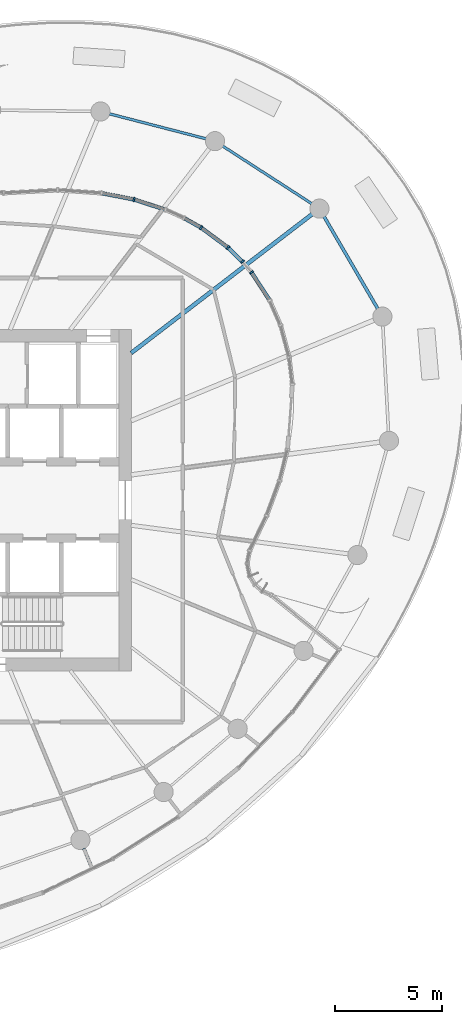
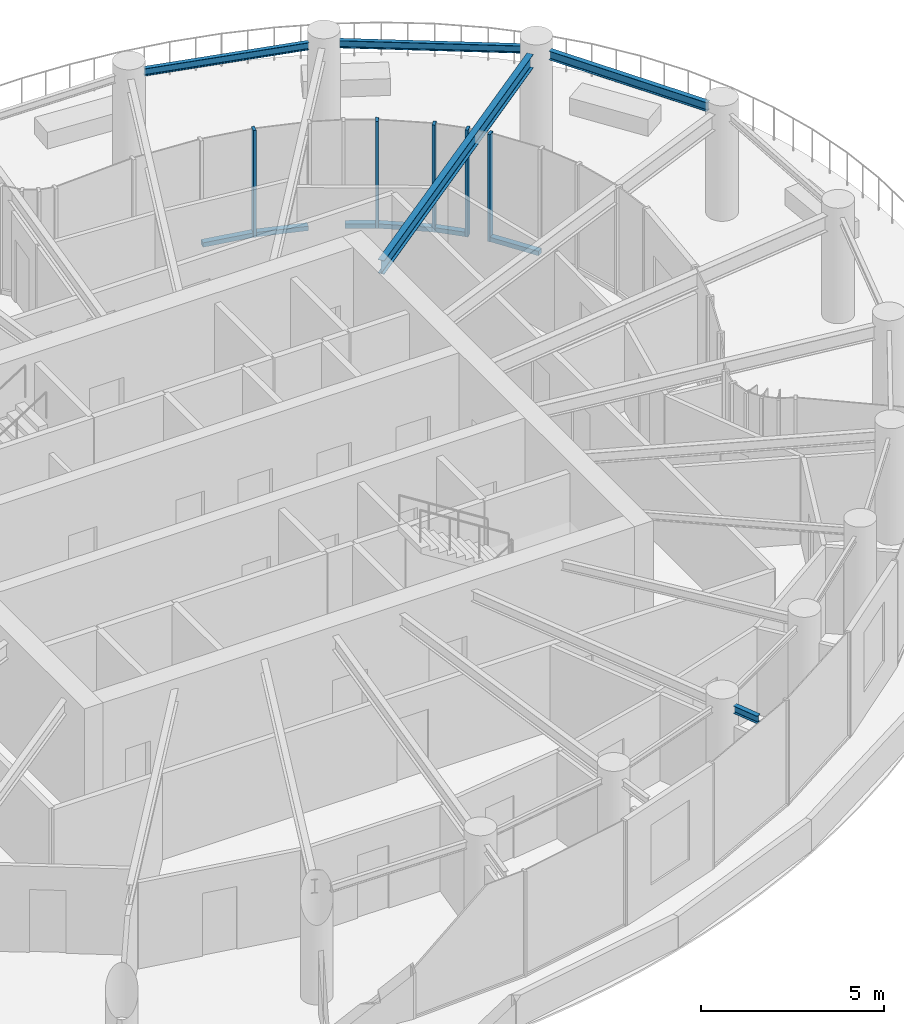
# One storey, part 6 of 19: 11 members, 5 beams, 2 elements without a shape of their own.
"""IFC4 building model written with IfcOpenShell, lengths in metres."""

from ifc_helpers import new_model, si_unit, direction, frame, origin, origin_2d, place, context, subcontext, project, spatial, rectangle, i_section, extrude, source, transform, mapped, material, layer, layer_set, material_profile, profile_set, type_object, element, aggregate, save


model = new_model("IFC4")

# Units and contexts
model_context = context("Model", 3, precision=1e-05, world=origin(), true_north=direction((0.0, 1.0)))
body_context = subcontext(model_context, "Body", "Model", "MODEL_VIEW")
ifc_project = project(units=[si_unit("LENGTHUNIT", "METRE"), si_unit("AREAUNIT", "SQUARE_METRE"), si_unit("VOLUMEUNIT", "CUBIC_METRE"), si_unit("PLANEANGLEUNIT", "RADIAN"), si_unit("MASSUNIT", "GRAM", prefix="KILO")], contexts=[model_context])

# Site, building, storey
site_placement = place(None, origin())
site = spatial("IfcSite", under=ifc_project, at=site_placement, CompositionType="ELEMENT")
building_placement = place(site_placement, origin())
building = spatial("IfcBuilding", under=site, at=building_placement, Name="Spindrift Exchange Tower", CompositionType="ELEMENT")
storey_placement = place(building_placement, frame((0.0, 0.0, 183.800048828125)))
storey = spatial("IfcBuildingStorey", under=building, at=storey_placement, Name="L44", CompositionType="ELEMENT", Elevation=183.800048828125)

# Beams
ifc_material_1 = material(Name="Steel Grade 300", Category="steel")
ifc_material_profile_1 = material_profile(ifc_material_1, i_section(OverallWidth=0.18994140625, OverallDepth=0.4541015625, WebThickness=0.008544921875, FlangeThickness=0.0126953125, FilletRadius=0.013916015625, at=origin_2d()), Name="460UB67.1")
ifc_profile_set_1 = profile_set([ifc_material_profile_1], Name="Steel Grade 300")
beam_type_1 = type_object("IfcBeamType", Name="Floor Beam 460UB67.1 Steel Grade 300", PredefinedType="BEAM", material=ifc_profile_set_1)
shared_shape_1 = source(origin(), body_context, "Body", "SweptSolid", [
    extrude(i_section(OverallWidth=0.18994140625, OverallDepth=0.4541015625, WebThickness=0.008544921875, FlangeThickness=0.0126953125, FilletRadius=0.013916015625, at=origin_2d()), origin(), (0.0, 0.0, 1.0), 10.684814453125),
])
beam_1_placement = place(storey_placement, frame((60.984130859375, 54.893798828125, 3.35302734375), z_axis=(0.793357316898, 0.608756246559, 0.0), x_axis=(-0.608756246559, 0.793357316898, 0.0)))
element("IfcBeam", 1, at=beam_1_placement, inside=storey, type_object=beam_type_1, Name="L44 radial beam R03A", PredefinedType="BEAM", context=body_context, shape_type="MappedRepresentation", body=[
    mapped(shared_shape_1, transform((0.0, 0.0, 0.0), scale=1.0)),
])
ifc_material_profile_2 = material_profile(ifc_material_1, i_section(OverallWidth=0.14599609375, OverallDepth=0.251953125, WebThickness=0.006103515625, FlangeThickness=0.008544921875, FilletRadius=0.011962890625, at=origin_2d()), Name="250UB31.4")
ifc_profile_set_2 = profile_set([ifc_material_profile_2], Name="Steel Grade 300")
beam_type_2 = type_object("IfcBeamType", Name="Cantilever Beam 250UB31.4 Steel Grade 300", PredefinedType="BEAM", material=ifc_profile_set_2)
shared_shape_2 = source(origin(), body_context, "Body", "SweptSolid", [
    extrude(i_section(OverallWidth=0.14599609375, OverallDepth=0.251953125, WebThickness=0.006103515625, FlangeThickness=0.008544921875, FilletRadius=0.011962890625, at=origin_2d()), origin(), (0.0, 0.0, 1.0), 0.825927734375),
])
beam_2_placement = place(storey_placement, frame((58.763671875, 31.67138671875, 3.453857421875), z_axis=(0.38247362018, -0.923966411655, 0.0), x_axis=(0.923966411655, 0.38247362018, 0.0)))
element("IfcBeam", 2, at=beam_2_placement, inside=storey, type_object=beam_type_2, Name="L44 cantilever beam R20T", PredefinedType="BEAM", context=body_context, shape_type="MappedRepresentation", body=[
    mapped(shared_shape_2, transform((0.0, 0.0, 0.0), scale=1.0)),
])
ifc_material_profile_3 = material_profile(ifc_material_1, i_section(OverallWidth=0.14892578125, OverallDepth=0.298095703125, WebThickness=0.005615234375, FlangeThickness=0.008056640625, FilletRadius=0.012939453125, at=origin_2d()), Name="310UB32.0")
ifc_profile_set_3 = profile_set([ifc_material_profile_3], Name="Steel Grade 300")
beam_type_3 = type_object("IfcBeamType", Name="Edge Beam 310UB32.0 Steel Grade 300", PredefinedType="SPANDREL", material=ifc_profile_set_3)
shared_shape_3 = source(origin(), body_context, "Body", "SweptSolid", [
    extrude(i_section(OverallWidth=0.14892578125, OverallDepth=0.298095703125, WebThickness=0.005615234375, FlangeThickness=0.008056640625, FilletRadius=0.012939453125, at=origin_2d()), origin(), (0.0, 0.0, 1.0), 5.0009765625),
])
beam_3_placement = place(storey_placement, frame((72.53662109375, 56.9677734375, 3.430908203125), z_axis=(-0.503512812094, 0.863987759205, 0.0), x_axis=(-0.863987759205, -0.503512812094, 0.0)))
element("IfcBeam", 3, at=beam_3_placement, inside=storey, type_object=beam_type_3, Name="L44 edge beam E02", PredefinedType="SPANDREL", context=body_context, shape_type="MappedRepresentation", body=[
    mapped(shared_shape_3, transform((0.0, 0.0, 0.0), scale=1.0)),
])
ifc_material_profile_4 = material_profile(ifc_material_1, i_section(OverallWidth=0.1240234375, OverallDepth=0.248046875, WebThickness=0.0048828125, FlangeThickness=0.008056640625, FilletRadius=0.011962890625, at=origin_2d()), Name="250UB25.7")
ifc_profile_set_4 = profile_set([ifc_material_profile_4], Name="Steel Grade 300")
beam_type_4 = type_object("IfcBeamType", Name="Edge Beam 250UB25.7 Steel Grade 300", PredefinedType="SPANDREL", material=ifc_profile_set_4)
shared_shape_4 = source(origin(), body_context, "Body", "SweptSolid", [
    extrude(i_section(OverallWidth=0.1240234375, OverallDepth=0.248046875, WebThickness=0.0048828125, FlangeThickness=0.008056640625, FilletRadius=0.011962890625, at=origin_2d()), origin(), (0.0, 0.0, 1.0), 4.966552734375),
])
beam_4_placement = place(storey_placement, frame((69.44091796875, 61.893310546875, 3.4560546875), z_axis=(-0.839802198579, 0.54289250065, 0.0), x_axis=(-0.54289250065, -0.839802198579, 0.0)))
element("IfcBeam", 4, at=beam_4_placement, inside=storey, type_object=beam_type_4, Name="L44 edge beam E03", PredefinedType="SPANDREL", context=body_context, shape_type="MappedRepresentation", body=[
    mapped(shared_shape_4, transform((0.0, 0.0, 0.0), scale=1.0)),
])
shared_shape_5 = source(origin(), body_context, "Body", "SweptSolid", [
    extrude(i_section(OverallWidth=0.1240234375, OverallDepth=0.248046875, WebThickness=0.0048828125, FlangeThickness=0.008056640625, FilletRadius=0.011962890625, at=origin_2d()), origin(), (0.0, 0.0, 1.0), 4.682373046875),
])
beam_5_placement = place(storey_placement, frame((64.492431640625, 64.9306640625, 3.4560546875), z_axis=(-0.968201586176, 0.250171318352, 0.0), x_axis=(-0.250171318352, -0.968201586176, 0.0)))
element("IfcBeam", 5, at=beam_5_placement, inside=storey, type_object=beam_type_4, Name="L44 edge beam E04", PredefinedType="SPANDREL", context=body_context, shape_type="MappedRepresentation", body=[
    mapped(shared_shape_5, transform((0.0, 0.0, 0.0), scale=1.0)),
])

# Curtain wall, members
ifc_material_2 = material(Name="Fritted laminated glass with bronze frame", Category="glass")
ifc_layer = layer(ifc_material_2, 0.199951171875)
ifc_layer_set = layer_set([ifc_layer], Name="SKY GARDEN BRONZE GLAZED WALL")
curtain_wall_type = type_object("IfcCurtainWallType", Name="SKY GARDEN BRONZE GLAZED WALL", PredefinedType="NOTDEFINED", material=ifc_layer_set)
curtain_wall_1_placement = place(storey_placement, origin())
curtain_wall_1 = element("IfcCurtainWall", 6, at=curtain_wall_1_placement, inside=storey, type_object=curtain_wall_type, Name="L44 Sky Garden Bronze Glazed Wall run 8", PredefinedType="NOTDEFINED")
ifc_material_3 = material(Name="Bronze anodised aluminium", Category="aluminium")
ifc_material_profile_5 = material_profile(ifc_material_3, rectangle(XDim=0.0849609375, YDim=0.199951171875, at=origin_2d()), Name="SKY GARDEN BRONZE GLAZED WALL MULLION 85X200")
ifc_profile_set_5 = profile_set([ifc_material_profile_5], Name="Bronze anodised aluminium")
member_type_1 = type_object("IfcMemberType", Name="SKY GARDEN BRONZE GLAZED WALL MULLION 85X200", PredefinedType="MULLION", material=ifc_profile_set_5)
shared_shape_6 = source(origin(), body_context, "Body", "SweptSolid", [
    extrude(rectangle(XDim=0.0849609375, YDim=0.199951171875, at=origin_2d()), origin(), (0.0, 0.0, 1.0), 3.579833984375),
])
member_1_placement = place(storey_placement, frame((66.6171875, 58.672607421875, 0.0), z_axis=(0.0, 0.0, 1.0), x_axis=(-0.598079489614, 0.80143678734, 0.0)))
member_1 = element("IfcMember", 7, at=member_1_placement, type_object=member_type_1, Name="L44 mullion CW-G.41", PredefinedType="MULLION", context=body_context, shape_type="MappedRepresentation", body=[
    mapped(shared_shape_6, transform((0.0, 0.0, 0.0), scale=1.0)),
])
member_2_placement = place(storey_placement, frame((66.19189453125, 59.172119140625, 0.0), z_axis=(0.0, 0.0, 1.0), x_axis=(-0.681996692783, 0.731355256379, 0.0)))
member_2 = element("IfcMember", 8, at=member_2_placement, type_object=member_type_1, Name="L44 mullion CW-G.42", PredefinedType="MULLION", context=body_context, shape_type="MappedRepresentation", body=[
    mapped(shared_shape_6, transform((0.0, 0.0, 0.0), scale=1.0)),
])
member_3_placement = place(storey_placement, frame((65.516845703125, 59.83349609375, 0.0), z_axis=(0.0, 0.0, 1.0), x_axis=(-0.760533816788, 0.649298323979, 0.0)))
member_3 = element("IfcMember", 9, at=member_3_placement, type_object=member_type_1, Name="L44 mullion CW-G.43", PredefinedType="MULLION", context=body_context, shape_type="MappedRepresentation", body=[
    mapped(shared_shape_6, transform((0.0, 0.0, 0.0), scale=1.0)),
])

curtain_wall_2_placement = place(storey_placement, origin())
curtain_wall_2 = element("IfcCurtainWall", 10, at=curtain_wall_2_placement, inside=storey, type_object=curtain_wall_type, Name="L44 Sky Garden Bronze Glazed Wall run 9", PredefinedType="NOTDEFINED")
member_4_placement = place(storey_placement, frame((64.25341796875, 60.770751953125, 0.0), z_axis=(0.0, 0.0, 1.0), x_axis=(-0.839410488613, 0.543497959155, 0.0)))
member_4 = element("IfcMember", 11, at=member_4_placement, type_object=member_type_1, Name="L44 mullion CW-G.44", PredefinedType="MULLION", context=body_context, shape_type="MappedRepresentation", body=[
    mapped(shared_shape_6, transform((0.0, 0.0, 0.0), scale=1.0)),
])
member_5_placement = place(storey_placement, frame((61.114013671875, 62.087890625, 0.0), z_axis=(0.0, 0.0, 1.0), x_axis=(-0.967975357113, 0.251045231027, 0.0)))
member_5 = element("IfcMember", 12, at=member_5_placement, type_object=member_type_1, Name="L44 mullion CW-G.47", PredefinedType="MULLION", context=body_context, shape_type="MappedRepresentation", body=[
    mapped(shared_shape_6, transform((0.0, 0.0, 0.0), scale=1.0)),
])

# Member
ifc_material_profile_6 = material_profile(ifc_material_3, rectangle(XDim=0.179931640625, YDim=0.14990234375, at=origin_2d()), Name="SKY GARDEN BRONZE GLAZED WALL TRANSOM 180X150")
ifc_profile_set_6 = profile_set([ifc_material_profile_6], Name="Bronze anodised aluminium")
member_type_2 = type_object("IfcMemberType", Name="SKY GARDEN BRONZE GLAZED WALL TRANSOM 180X150", PredefinedType="USERDEFINED", material=ifc_profile_set_6)
shared_shape_7 = source(origin(), body_context, "Body", "SweptSolid", [
    extrude(rectangle(XDim=0.179931640625, YDim=0.14990234375, at=origin_2d()), origin(), (0.0, 0.0, 1.0), 1.488525390625),
])
member_6_placement = place(storey_placement, frame((67.452392578125, 57.389404296875, 0.074951171875), z_axis=(-0.545507092154, 0.838106205925, 0.0), x_axis=(-0.838106205925, -0.545507092154, 0.0)))
member_6 = element("IfcMember", 13, at=member_6_placement, type_object=member_type_2, Name="L44 transom CW-G.40", ObjectType="TRANSOM", PredefinedType="USERDEFINED", context=body_context, shape_type="MappedRepresentation", body=[
    mapped(shared_shape_7, transform((0.0, 0.0, 0.0), scale=1.0)),
])

shared_shape_8 = source(origin(), body_context, "Body", "SweptSolid", [
    extrude(rectangle(XDim=0.179931640625, YDim=0.14990234375, at=origin_2d()), origin(), (0.0, 0.0, 1.0), 0.860107421875),
])
member_7_placement = place(storey_placement, frame((66.16162109375, 59.201904296875, 0.074951171875), z_axis=(-0.714448345435, 0.699688188914, 0.0), x_axis=(-0.699688188914, -0.714448345435, 0.0)))
member_7 = element("IfcMember", 14, at=member_7_placement, type_object=member_type_2, Name="L44 transom CW-G.42", ObjectType="TRANSOM", PredefinedType="USERDEFINED", context=body_context, shape_type="MappedRepresentation", body=[
    mapped(shared_shape_8, transform((0.0, 0.0, 0.0), scale=1.0)),
])

shared_shape_9 = source(origin(), body_context, "Body", "SweptSolid", [
    extrude(rectangle(XDim=0.179931640625, YDim=0.14990234375, at=origin_2d()), origin(), (0.0, 0.0, 1.0), 1.488037109375),
])
member_8_placement = place(storey_placement, frame((65.482666015625, 59.85888671875, 0.074951171875), z_axis=(-0.803217035221, 0.595686489969, 0.0), x_axis=(-0.595686489969, -0.803217035221, 0.0)))
member_8 = element("IfcMember", 15, at=member_8_placement, type_object=member_type_2, Name="L44 transom CW-G.43", ObjectType="TRANSOM", PredefinedType="USERDEFINED", context=body_context, shape_type="MappedRepresentation", body=[
    mapped(shared_shape_9, transform((0.0, 0.0, 0.0), scale=1.0)),
])

aggregate(curtain_wall_1, [member_6, member_1, member_2, member_7, member_3, member_8])

shared_shape_10 = source(origin(), body_context, "Body", "SweptSolid", [
    extrude(rectangle(XDim=0.179931640625, YDim=0.14990234375, at=origin_2d()), origin(), (0.0, 0.0, 1.0), 0.836181640625),
])
member_9_placement = place(storey_placement, frame((64.21630859375, 60.79150390625, 0.074951171875), z_axis=(-0.872291872687, 0.488985571202, 0.0), x_axis=(-0.488985571202, -0.872291872687, 0.0)))
member_9 = element("IfcMember", 16, at=member_9_placement, type_object=member_type_2, Name="L44 transom CW-G.44", ObjectType="TRANSOM", PredefinedType="USERDEFINED", context=body_context, shape_type="MappedRepresentation", body=[
    mapped(shared_shape_10, transform((0.0, 0.0, 0.0), scale=1.0)),
])

shared_shape_11 = source(origin(), body_context, "Body", "SweptSolid", [
    extrude(rectangle(XDim=0.179931640625, YDim=0.14990234375, at=origin_2d()), origin(), (0.0, 0.0, 1.0), 1.46875),
])
member_10_placement = place(storey_placement, frame((62.55126953125, 61.620361328125, 0.074951171875), z_axis=(-0.950952193236, 0.309337883519, 0.0), x_axis=(-0.309337883519, -0.950952193236, 0.0)))
member_10 = element("IfcMember", 17, at=member_10_placement, type_object=member_type_2, Name="L44 transom CW-G.46", ObjectType="TRANSOM", PredefinedType="USERDEFINED", context=body_context, shape_type="MappedRepresentation", body=[
    mapped(shared_shape_11, transform((0.0, 0.0, 0.0), scale=1.0)),
])

shared_shape_12 = source(origin(), body_context, "Body", "SweptSolid", [
    extrude(rectangle(XDim=0.179931640625, YDim=0.14990234375, at=origin_2d()), origin(), (0.0, 0.0, 1.0), 1.45703125),
])
member_11_placement = place(storey_placement, frame((61.072509765625, 62.095947265625, 0.074951171875), z_axis=(-0.981422159539, 0.191860743157, 0.0), x_axis=(-0.191860743157, -0.981422159539, 0.0)))
member_11 = element("IfcMember", 18, at=member_11_placement, type_object=member_type_2, Name="L44 transom CW-G.47", ObjectType="TRANSOM", PredefinedType="USERDEFINED", context=body_context, shape_type="MappedRepresentation", body=[
    mapped(shared_shape_12, transform((0.0, 0.0, 0.0), scale=1.0)),
])

aggregate(curtain_wall_2, [member_4, member_9, member_10, member_5, member_11])

save(model, "model.ifc")
